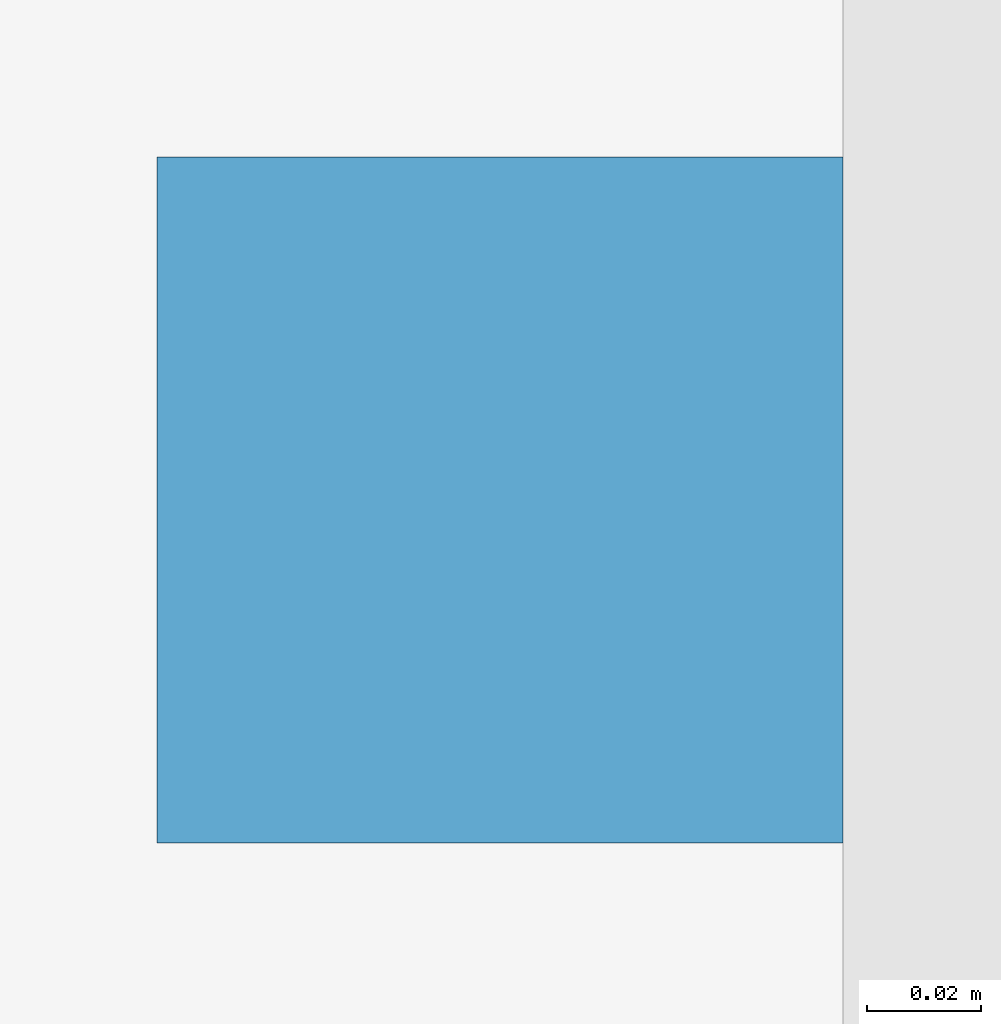
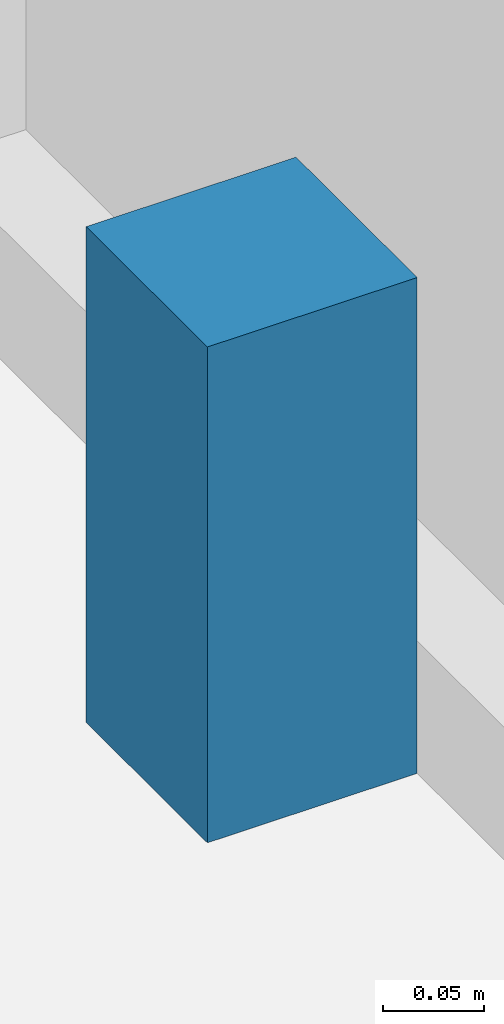
# One storey, part 8 of 11: 1 discrete accessory.
"""IFC4 building model written with IfcOpenShell, lengths in metres."""

import ifcopenshell
import ifcopenshell.guid

model = None  # the IFC model being written
_history = None  # IfcOwnerHistory: only IFC2X3 demands one
_inside = {}  # id of a spatial element -> (the spatial element, [elements in it])
_under = {}  # id of a project, library or spatial element -> (it, [spatial elements below it])
_declared = {}  # id of a project -> (the project, [libraries it declares])
_typed = {}  # id of a type object -> (the type object, [elements of that type])
_made_of = {}  # id of a material, layer set ... -> (it, [elements and type objects made of it])


def new_model(schema):
    """Start an empty IFC model of exactly this schema.

    Asked for "IFC4X3", IfcOpenShell would pick the latest addendum, in which some entities
    have other attributes; the version numbers below select the first issue.
    IFC2X3 requires an IfcOwnerHistory on every rooted entity: one is made here for all.
    """
    global model, _history
    if schema == "IFC4X3":
        model = ifcopenshell.file(schema_version=(4, 3, 0, 0))
    else:
        model = ifcopenshell.file(schema=schema)
    _inside.clear()
    _under.clear()
    _declared.clear()
    _typed.clear()
    _made_of.clear()
    _history = None
    if model.schema == "IFC2X3":
        org = make("IfcOrganization", Name="unknown")
        user = make(
            "IfcPersonAndOrganization",
            ThePerson=make("IfcPerson", FamilyName="unknown"),
            TheOrganization=org,
        )
        app = make(
            "IfcApplication",
            ApplicationDeveloper=org,
            Version="unknown",
            ApplicationFullName="unknown",
            ApplicationIdentifier="unknown",
        )
        _history = make(
            "IfcOwnerHistory",
            OwningUser=user,
            OwningApplication=app,
            ChangeAction="ADDED",
            CreationDate=0,
        )
    return model


def make(cls, **values):
    """One entity of the class cls with the attributes given. An attribute that is None is left unset."""
    return model.create_entity(
        cls, **{name: value for name, value in values.items() if value is not None}
    )


def rooted(cls, **values):
    """An entity with a GlobalId (a new one), such as an element, a storey or a relation."""
    return make(cls, GlobalId=ifcopenshell.guid.new(), OwnerHistory=_history, **values)


def si_unit(unit_type, name, prefix=None):
    """IfcSIUnit, for example si_unit("LENGTHUNIT", "METRE", prefix="MILLI")."""
    return make("IfcSIUnit", UnitType=unit_type, Prefix=prefix, Name=name)


def assignment(units):
    """IfcUnitAssignment: the units of a project."""
    return None if units is None else make("IfcUnitAssignment", Units=units)


def point(xyz):
    """IfcCartesianPoint."""
    return None if xyz is None else make("IfcCartesianPoint", Coordinates=xyz)


def direction(xyz):
    """IfcDirection."""
    return None if xyz is None else make("IfcDirection", DirectionRatios=xyz)


def frame(location, z_axis=None, x_axis=None):
    """IfcAxis2Placement3D, a coordinate frame: its origin and axes. An axis left out is left unset."""
    return make(
        "IfcAxis2Placement3D",
        Location=point(location),
        Axis=direction(z_axis),
        RefDirection=direction(x_axis),
    )


def frame_2d(location, x_axis=None):
    """IfcAxis2Placement2D, a coordinate frame in the plane: its origin and x axis."""
    return make(
        "IfcAxis2Placement2D", Location=point(location), RefDirection=direction(x_axis)
    )


def origin():
    """The frame at (0, 0, 0) with its axes left unset."""
    return frame((0.0, 0.0, 0.0))


def origin_2d():
    """The frame at (0, 0) in the plane with its x axis left unset."""
    return frame_2d((0.0, 0.0))


def place(relative_to, where):
    """IfcLocalPlacement: puts the frame where relative to a parent placement (None: the world)."""
    return make(
        "IfcLocalPlacement", PlacementRelTo=relative_to, RelativePlacement=where
    )


def context(
    kind, dimensions, precision=None, world=None, true_north=None, identifier=None
):
    """IfcGeometricRepresentationContext, for example the 3D "Model" context."""
    return make(
        "IfcGeometricRepresentationContext",
        ContextIdentifier=identifier,
        ContextType=kind,
        CoordinateSpaceDimension=dimensions,
        Precision=precision,
        WorldCoordinateSystem=world,
        TrueNorth=true_north,
    )


def subcontext(parent, identifier, kind, view, scale=None):
    """IfcGeometricRepresentationSubContext, for example "Body" below "Model"."""
    return make(
        "IfcGeometricRepresentationSubContext",
        ContextIdentifier=identifier,
        ContextType=kind,
        ParentContext=parent,
        TargetScale=scale,
        TargetView=view,
    )


def project(units=None, contexts=None):
    """IfcProject with its units and contexts."""
    return rooted(
        "IfcProject",
        Name="project",
        RepresentationContexts=contexts,
        UnitsInContext=assignment(units),
    )


def spatial(cls, under=None, at=None, **own):
    """A site, building, storey or space (cls), placed at a placement, below another one or the project."""
    s = rooted(cls, ObjectPlacement=at, **own)
    if under is not None:
        _under.setdefault(under.id(), (under, []))[1].append(s)
    return s


def profile(cls, at=None, kind="AREA", **sizes):
    """A parametric profile (cls). Its sizes go by their IFC names, for example OverallWidth=200.0."""
    return make(cls, ProfileType=kind, Position=at, **sizes)


def rectangle(**sizes):
    """IfcRectangleProfileDef."""
    return profile("IfcRectangleProfileDef", **sizes)


def extrude(swept, where, along, depth):
    """IfcExtrudedAreaSolid: the profile swept, set in the frame where, extruded along a direction by depth."""
    return make(
        "IfcExtrudedAreaSolid",
        SweptArea=swept,
        Position=where,
        ExtrudedDirection=direction(along),
        Depth=depth,
    )


def shape(context_of_items, identifier, shape_type, items):
    """IfcShapeRepresentation: the items that make up one representation, for example the "Body"."""
    return make(
        "IfcShapeRepresentation",
        ContextOfItems=context_of_items,
        RepresentationIdentifier=identifier,
        RepresentationType=shape_type,
        Items=items,
    )


def material(Name=None, Category=None):
    """IfcMaterial."""
    return make("IfcMaterial", Name=Name, Category=Category)


def made_of(thing, what):
    """Note that an element or type object is made of a material, layer set ...; save() writes the relation."""
    if what is not None:
        _made_of.setdefault(what.id(), (what, []))[1].append(thing)
    return thing


def type_object(cls, material=None, **own):
    """A type object (cls), such as IfcWallType, which elements share."""
    return made_of(rooted(cls, **own), material)


def element(
    cls,
    number,
    at=None,
    inside=None,
    cuts=None,
    type_object=None,
    material=None,
    context=None,
    identifier="Body",
    shape_type=None,
    held_by="IfcProductDefinitionShape",
    body=None,
    shapes=None,
    **own,
):
    """One element of the class cls, such as IfcWall. Its Tag is "e" and its number.

    at: its placement. inside: the storey or other place that contains it. cuts: it is an
    opening in that element (IfcRelVoidsElement). A single representation is given by context,
    identifier, shape_type and body (its items); several are given by shapes. held_by: the class
    of the entity that holds the representations. save() writes the other relations.
    """
    e = rooted(cls, Tag="e%d" % number, ObjectPlacement=at, **own)
    if body is not None:
        shapes = [shape(context, identifier, shape_type, body)]
    if shapes is not None:
        e.Representation = make(held_by, Representations=shapes)
    if inside is not None:
        _inside.setdefault(inside.id(), (inside, []))[1].append(e)
    if cuts is not None:
        rooted(
            "IfcRelVoidsElement", RelatingBuildingElement=cuts, RelatedOpeningElement=e
        )
    if type_object is not None:
        _typed.setdefault(type_object.id(), (type_object, []))[1].append(e)
    return made_of(e, material)


def aggregate(whole, parts):
    """IfcRelAggregates: a whole, such as a stair, and the parts it consists of."""
    return rooted("IfcRelAggregates", RelatingObject=whole, RelatedObjects=parts)


def save(model, path):
    """Write the relations noted so far, then the file.

    IfcRelAggregates (storeys below a building ...), IfcRelContainedInSpatialStructure (elements
    in a storey), IfcRelDefinesByType, IfcRelAssociatesMaterial and IfcRelDeclares: one each for
    every whole, place, type object, material and project.
    """
    for whole, parts in _under.values():
        aggregate(whole, parts)
    for where, things in _inside.values():
        rooted(
            "IfcRelContainedInSpatialStructure",
            RelatedElements=things,
            RelatingStructure=where,
        )
    for kind, things in _typed.values():
        rooted("IfcRelDefinesByType", RelatedObjects=things, RelatingType=kind)
    for what, things in _made_of.values():
        rooted("IfcRelAssociatesMaterial", RelatedObjects=things, RelatingMaterial=what)
    for by, libraries in _declared.values():
        rooted("IfcRelDeclares", RelatingContext=by, RelatedDefinitions=libraries)
    model.write(path)


model = new_model("IFC4")

# Units and contexts
model_context = context("Model", 3, precision=1e-05, world=origin(), true_north=direction((0.0, 1.0)))
body_context = subcontext(model_context, "Body", "Model", "MODEL_VIEW")
ifc_project = project(units=[si_unit("LENGTHUNIT", "METRE"), si_unit("AREAUNIT", "SQUARE_METRE"), si_unit("VOLUMEUNIT", "CUBIC_METRE"), si_unit("PLANEANGLEUNIT", "RADIAN"), si_unit("MASSUNIT", "GRAM", prefix="KILO")], contexts=[model_context])

# Site, building, storey
site_placement = place(None, origin())
site = spatial("IfcSite", under=ifc_project, at=site_placement, CompositionType="ELEMENT")
building_placement = place(site_placement, origin())
building = spatial("IfcBuilding", under=site, at=building_placement, Name="Ostroluk Exchange", CompositionType="ELEMENT")
storey_placement = place(building_placement, frame((0.0, 0.0, 249.0)))
storey = spatial("IfcBuildingStorey", under=building, at=storey_placement, Name="L64", CompositionType="ELEMENT", Elevation=249.0)

# Discrete accessory
ifc_material = material(Name="Stainless steel", Category="steel")
discrete_accessory_type = type_object("IfcDiscreteAccessoryType", Name="Fall-arrest anchor PN-EN 795 type C", PredefinedType="USERDEFINED", material=ifc_material)
discrete_accessory_placement = place(storey_placement, frame((27.2900390625, 60.0, 0.0), z_axis=(0.0, 0.0, 1.0), x_axis=(1.0, 0.0, 0.0)))
element("IfcDiscreteAccessory", 1, at=discrete_accessory_placement, inside=storey, type_object=discrete_accessory_type, Name="Fall-arrest anchor L64 west 4", ObjectType="FALL ARREST ANCHOR", PredefinedType="USERDEFINED", context=body_context, shape_type="SweptSolid", body=[
    extrude(rectangle(XDim=0.1201171875, YDim=0.1201171875, at=origin_2d()), origin(), (0.0, 0.0, 1.0), 0.300048828125),
])

save(model, "model.ifc")
